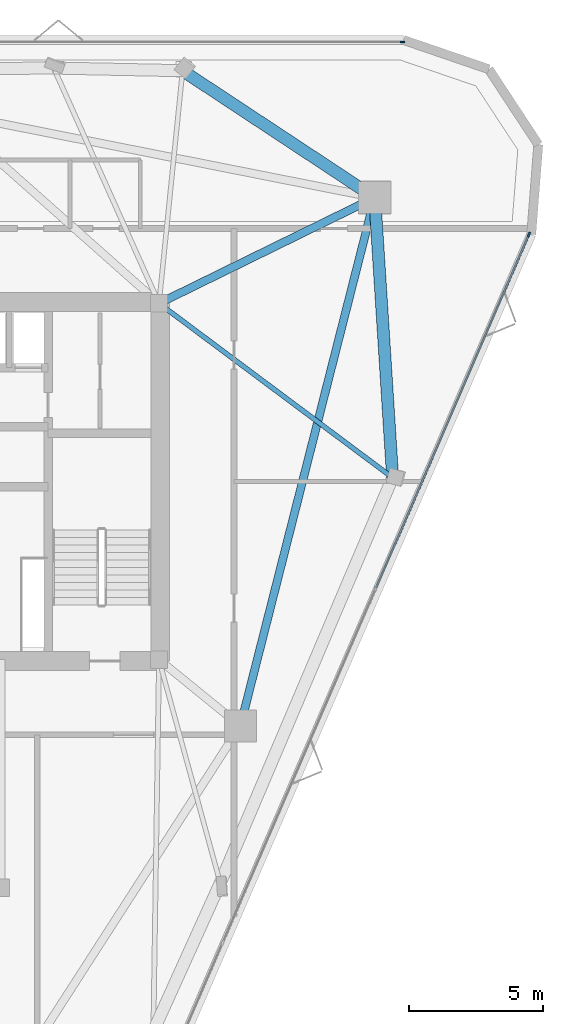
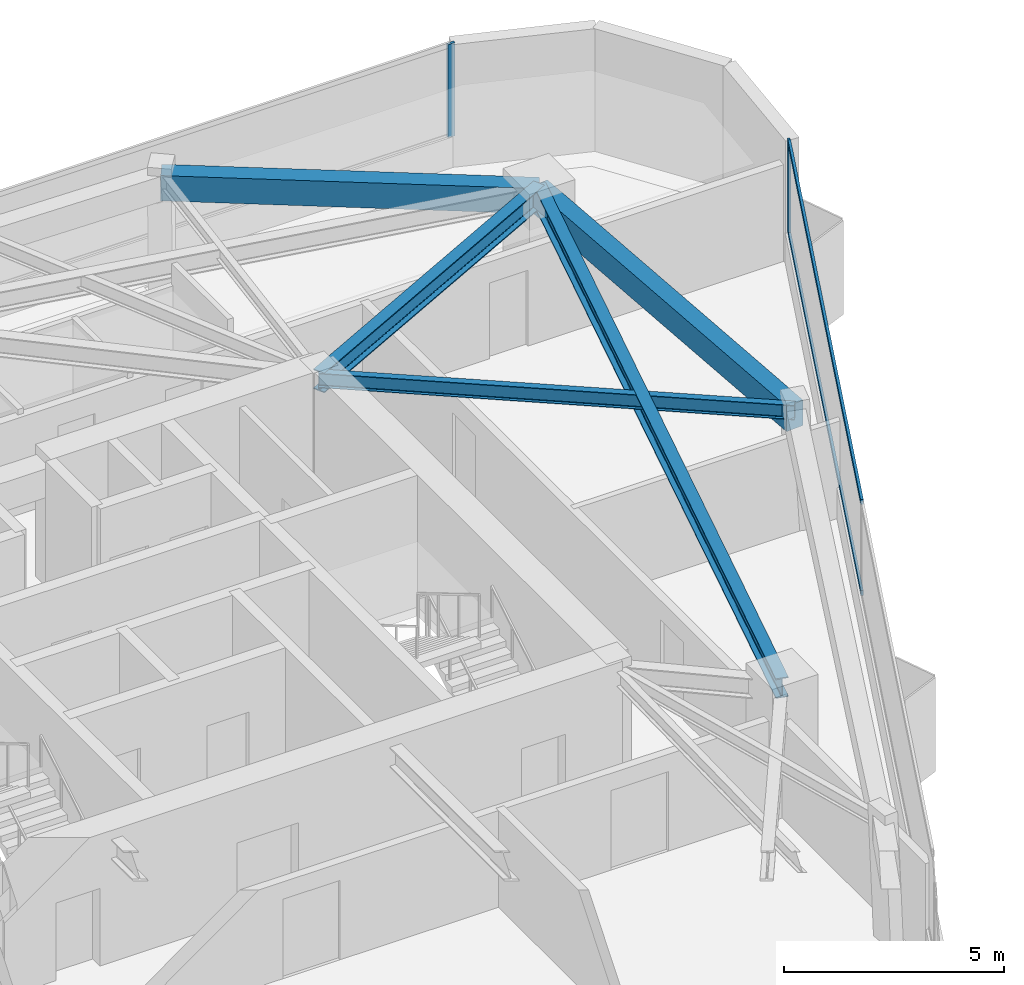
# One storey, part 7 of 12: 5 beams, 4 members, 2 elements without a shape of their own.
"""IFC4 building model written with IfcOpenShell, lengths in metres."""

from ifc_helpers import new_model, si_unit, direction, frame, origin, origin_2d, place, context, subcontext, project, spatial, rectangle, i_section, extrude, material, layer, layer_set, material_profile, profile_set, type_object, element, aggregate, save


model = new_model("IFC4")

# Units and contexts
model_context = context("Model", 3, precision=1e-05, world=origin(), true_north=direction((0.0, 1.0)))
body_context = subcontext(model_context, "Body", "Model", "MODEL_VIEW")
ifc_project = project(units=[si_unit("LENGTHUNIT", "METRE"), si_unit("AREAUNIT", "SQUARE_METRE"), si_unit("VOLUMEUNIT", "CUBIC_METRE"), si_unit("PLANEANGLEUNIT", "RADIAN"), si_unit("MASSUNIT", "GRAM", prefix="KILO")], contexts=[model_context])

# Site, building, storey
site_placement = place(None, origin())
site = spatial("IfcSite", under=ifc_project, at=site_placement, CompositionType="ELEMENT")
building_placement = place(site_placement, origin())
building = spatial("IfcBuilding", under=site, at=building_placement, Name="Talyreon Biosciences Tower", CompositionType="ELEMENT")
storey_placement = place(building_placement, frame((0.0, 0.0, 268.10009765625)))
storey = spatial("IfcBuildingStorey", under=building, at=storey_placement, Name="L71", CompositionType="ELEMENT", Elevation=268.10009765625)

# Curtain wall, member
ifc_material_1 = material(Name="Thermally broken aluminium and low-E glazing", Category="aluminium")
ifc_layer = layer(ifc_material_1, 0.175048828125)
ifc_layer_set = layer_set([ifc_layer], Name="Thermally broken aluminium and low-E glazing")
curtain_wall_type = type_object("IfcCurtainWallType", Name="CurtainWall_Zone5CompLab", PredefinedType="NOTDEFINED", material=ifc_layer_set)
curtain_wall_1_placement = place(storey_placement, origin())
curtain_wall_1 = element("IfcCurtainWall", 1, at=curtain_wall_1_placement, inside=storey, type_object=curtain_wall_type, Name="L71 Unitised Curtain Wall FCW-L71-04", PredefinedType="NOTDEFINED")
ifc_material_2 = material(Name="Anodised thermally broken aluminium", Category="aluminium")
ifc_material_profile_1 = material_profile(ifc_material_2, rectangle(XDim=0.06494140625, YDim=0.179931640625, at=origin_2d()), Name="ALUM MULLION 65x180")
ifc_profile_set_1 = profile_set([ifc_material_profile_1], Name="Anodised thermally broken aluminium")
member_type_1 = type_object("IfcMemberType", Name="CWMullion_65x180", PredefinedType="MULLION", material=ifc_profile_set_1)
member_1_placement = place(storey_placement, frame((83.140625, 84.404052734375, 0.809814453125), z_axis=(0.0, 0.0, 1.0), x_axis=(0.0, 1.0, 0.0)))
member_1 = element("IfcMember", 2, at=member_1_placement, type_object=member_type_1, Name="CW6 mullion 3", PredefinedType="MULLION", context=body_context, shape_type="SweptSolid", body=[
    extrude(rectangle(XDim=0.06494140625, YDim=0.179931640625, at=origin_2d()), origin(), (0.0, 0.0, 1.0), 2.590087890625),
])
aggregate(curtain_wall_1, [member_1])

# Curtain wall, members
curtain_wall_2_placement = place(storey_placement, origin())
curtain_wall_2 = element("IfcCurtainWall", 3, at=curtain_wall_2_placement, inside=storey, type_object=curtain_wall_type, Name="L71 Unitised Curtain Wall FCW-L71-08", PredefinedType="NOTDEFINED")
member_2_placement = place(storey_placement, frame((87.859619140625, 77.22216796875, 0.809814453125), z_axis=(0.0, 0.0, 1.0), x_axis=(0.917867616895, -0.396886681377, 0.0)))
member_2 = element("IfcMember", 4, at=member_2_placement, type_object=member_type_1, Name="CW6 mullion 1", PredefinedType="MULLION", context=body_context, shape_type="SweptSolid", body=[
    extrude(rectangle(XDim=0.06494140625, YDim=0.179931640625, at=origin_2d()), origin(), (0.0, 0.0, 1.0), 2.590087890625),
])
ifc_material_profile_2 = material_profile(ifc_material_2, rectangle(XDim=0.06494140625, YDim=0.139892578125, at=origin_2d()), Name="ALUM TRANSOM 65x140")
ifc_profile_set_2 = profile_set([ifc_material_profile_2], Name="Anodised thermally broken aluminium")
member_type_2 = type_object("IfcMemberType", Name="CWTransom_65x140", PredefinedType="USERDEFINED", material=ifc_profile_set_2)
member_3_placement = place(storey_placement, frame((87.846923828125, 77.1923828125, 0.84228515625), z_axis=(-0.396897569259, -0.91786290889, 0.0), x_axis=(0.91786290889, -0.396897569259, 0.0)))
member_3 = element("IfcMember", 5, at=member_3_placement, type_object=member_type_2, Name="CW6 transom 1.1", ObjectType="TRANSOM", PredefinedType="USERDEFINED", context=body_context, shape_type="SweptSolid", body=[
    extrude(rectangle(XDim=0.06494140625, YDim=0.139892578125, at=origin_2d()), origin(), (0.0, 0.0, 1.0), 14.32568359375),
])
member_4_placement = place(storey_placement, frame((87.846923828125, 77.1923828125, 3.367431640625), z_axis=(-0.396897569259, -0.91786290889, 0.0), x_axis=(0.91786290889, -0.396897569259, 0.0)))
member_4 = element("IfcMember", 6, at=member_4_placement, type_object=member_type_2, Name="CW6 transom 1.2", ObjectType="TRANSOM", PredefinedType="USERDEFINED", context=body_context, shape_type="SweptSolid", body=[
    extrude(rectangle(XDim=0.06494140625, YDim=0.139892578125, at=origin_2d()), origin(), (0.0, 0.0, 1.0), 14.32568359375),
])
aggregate(curtain_wall_2, [member_2, member_3, member_4])

# Beams
ifc_material_3 = material(Name="Precast concrete C45/55", Category="concrete")
ifc_material_profile_3 = material_profile(ifc_material_3, rectangle(XDim=0.449951171875, YDim=0.699951171875, at=origin_2d()), Name="RCB 450x700")
ifc_profile_set_3 = profile_set([ifc_material_profile_3], Name="Precast concrete C45/55")
beam_type_1 = type_object("IfcBeamType", Name="ExpressedSpandrel_450x700", PredefinedType="SPANDREL", material=ifc_profile_set_3)
beam_1_placement = place(storey_placement, frame((82.768798828125, 68.14501953125, 3.0498046875), z_axis=(-0.063629034106, 0.997973619901, 0.0), x_axis=(-0.997973619901, -0.063629034106, 0.0)))
element("IfcBeam", 7, at=beam_1_placement, inside=storey, type_object=beam_type_1, Name="L71 Expressed Horizontal Concrete Spandrel 04", PredefinedType="SPANDREL", context=body_context, shape_type="SweptSolid", body=[
    extrude(rectangle(XDim=0.449951171875, YDim=0.699951171875, at=origin_2d()), origin(), (0.0, 0.0, 1.0), 10.474853515625),
])
beam_2_placement = place(storey_placement, frame((82.102294921875, 78.5986328125, 3.0498046875), z_axis=(-0.834524248519, 0.550971213979, 0.0), x_axis=(-0.550971213979, -0.834524248519, 0.0)))
element("IfcBeam", 8, at=beam_2_placement, inside=storey, type_object=beam_type_1, Name="L71 Expressed Horizontal Concrete Spandrel 05", PredefinedType="SPANDREL", context=body_context, shape_type="SweptSolid", body=[
    extrude(rectangle(XDim=0.449951171875, YDim=0.699951171875, at=origin_2d()), origin(), (0.0, 0.0, 1.0), 8.594482421875),
])
ifc_material_4 = material(Name="Steel SM355", Category="steel")
ifc_material_profile_4 = material_profile(ifc_material_4, i_section(OverallWidth=0.300048828125, OverallDepth=0.550048828125, WebThickness=0.014892578125, FlangeThickness=0.029052734375, FilletRadius=0.027099609375, at=origin_2d()), Name="HE550B")
ifc_profile_set_4 = profile_set([ifc_material_profile_4], Name="Steel SM355")
beam_type_2 = type_object("IfcBeamType", Name="SteelBeam_HE550B", PredefinedType="BEAM", material=ifc_profile_set_4)
beam_3_placement = place(storey_placement, frame((77.086181640625, 58.88037109375, 3.125), z_axis=(0.246537082299, 0.969133358755, 0.0), x_axis=(-0.969133358755, 0.246537082299, 0.0)))
element("IfcBeam", 9, at=beam_3_placement, inside=storey, type_object=beam_type_2, Name="L71 Mega-Ring Girder 2", PredefinedType="BEAM", context=body_context, shape_type="SweptSolid", body=[
    extrude(i_section(OverallWidth=0.300048828125, OverallDepth=0.550048828125, WebThickness=0.014892578125, FlangeThickness=0.029052734375, FilletRadius=0.027099609375, at=origin_2d()), origin(), (0.0, 0.0, 1.0), 20.34619140625),
])
beam_4_placement = place(storey_placement, frame((74.050048828125, 74.64990234375, 3.125), z_axis=(0.897852360314, 0.440296648952, 0.0), x_axis=(-0.440296648952, 0.897852360314, 0.0)))
element("IfcBeam", 10, at=beam_4_placement, inside=storey, type_object=beam_type_2, Name="L71 Radial Primary Girder 3", PredefinedType="BEAM", context=body_context, shape_type="SweptSolid", body=[
    extrude(i_section(OverallWidth=0.300048828125, OverallDepth=0.550048828125, WebThickness=0.014892578125, FlangeThickness=0.029052734375, FilletRadius=0.027099609375, at=origin_2d()), origin(), (0.0, 0.0, 1.0), 8.96826171875),
])
ifc_material_profile_5 = material_profile(ifc_material_4, i_section(OverallWidth=0.179931640625, OverallDepth=0.39990234375, WebThickness=0.008544921875, FlangeThickness=0.013427734375, FilletRadius=0.02099609375, at=origin_2d()), Name="IPE400")
ifc_profile_set_5 = profile_set([ifc_material_profile_5], Name="Steel SM355")
beam_type_3 = type_object("IfcBeamType", Name="SteelJoist_IPE400", PredefinedType="JOIST", material=ifc_profile_set_5)
beam_5_placement = place(storey_placement, frame((74.050048828125, 74.64990234375, 3.199951171875), z_axis=(0.801505682173, -0.597987158261, 0.0), x_axis=(0.597987158261, 0.801505682173, 0.0)))
element("IfcBeam", 11, at=beam_5_placement, inside=storey, type_object=beam_type_3, Name="L71 Radial Composite Floor Joist PC-SE2", PredefinedType="JOIST", context=body_context, shape_type="SweptSolid", body=[
    extrude(i_section(OverallWidth=0.179931640625, OverallDepth=0.39990234375, WebThickness=0.008544921875, FlangeThickness=0.013427734375, FilletRadius=0.02099609375, at=origin_2d()), origin(), (0.0, 0.0, 1.0), 10.8779296875),
])

save(model, "model.ifc")
